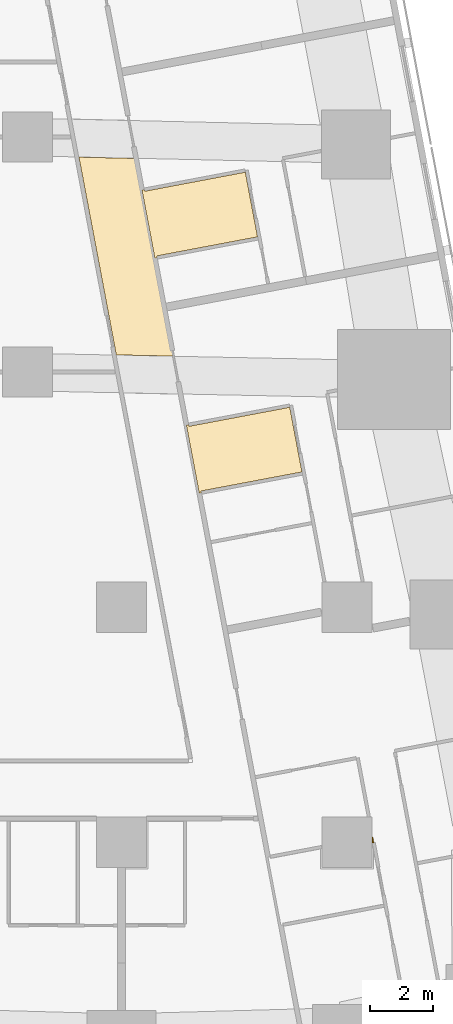
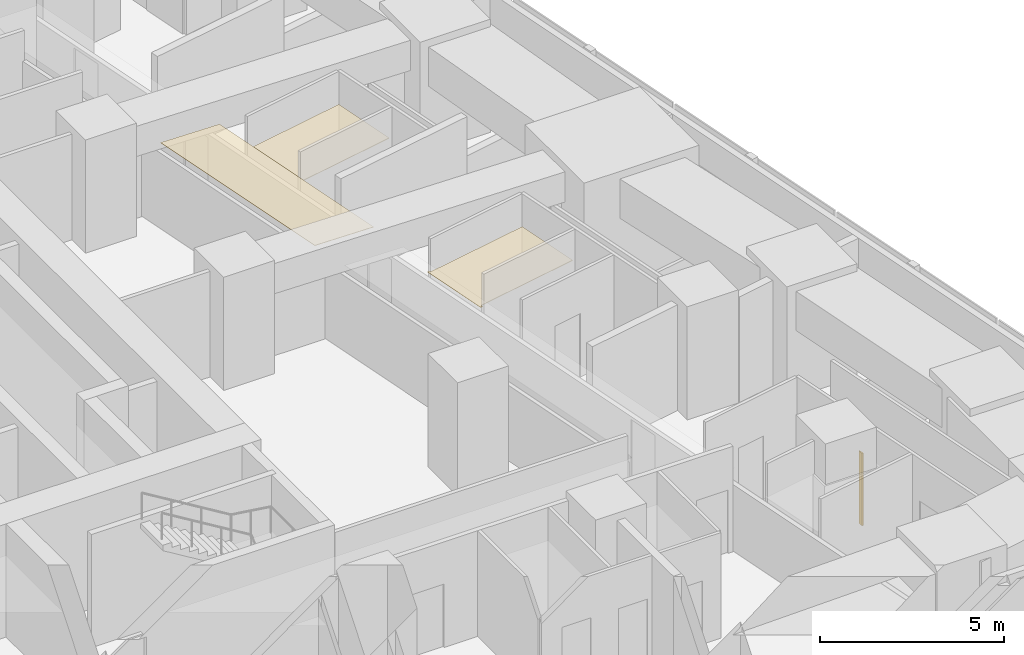
# One storey, part 13 of 14: 4 coverings.
"""IFC4 building model written with IfcOpenShell, lengths in metres."""

import ifcopenshell
import ifcopenshell.guid

model = None  # the IFC model being written
_history = None  # IfcOwnerHistory: only IFC2X3 demands one
_inside = {}  # id of a spatial element -> (the spatial element, [elements in it])
_under = {}  # id of a project, library or spatial element -> (it, [spatial elements below it])
_declared = {}  # id of a project -> (the project, [libraries it declares])
_typed = {}  # id of a type object -> (the type object, [elements of that type])
_made_of = {}  # id of a material, layer set ... -> (it, [elements and type objects made of it])


def new_model(schema):
    """Start an empty IFC model of exactly this schema.

    Asked for "IFC4X3", IfcOpenShell would pick the latest addendum, in which some entities
    have other attributes; the version numbers below select the first issue.
    IFC2X3 requires an IfcOwnerHistory on every rooted entity: one is made here for all.
    """
    global model, _history
    if schema == "IFC4X3":
        model = ifcopenshell.file(schema_version=(4, 3, 0, 0))
    else:
        model = ifcopenshell.file(schema=schema)
    _inside.clear()
    _under.clear()
    _declared.clear()
    _typed.clear()
    _made_of.clear()
    _history = None
    if model.schema == "IFC2X3":
        org = make("IfcOrganization", Name="unknown")
        user = make(
            "IfcPersonAndOrganization",
            ThePerson=make("IfcPerson", FamilyName="unknown"),
            TheOrganization=org,
        )
        app = make(
            "IfcApplication",
            ApplicationDeveloper=org,
            Version="unknown",
            ApplicationFullName="unknown",
            ApplicationIdentifier="unknown",
        )
        _history = make(
            "IfcOwnerHistory",
            OwningUser=user,
            OwningApplication=app,
            ChangeAction="ADDED",
            CreationDate=0,
        )
    return model


def make(cls, **values):
    """One entity of the class cls with the attributes given. An attribute that is None is left unset."""
    return model.create_entity(
        cls, **{name: value for name, value in values.items() if value is not None}
    )


def rooted(cls, **values):
    """An entity with a GlobalId (a new one), such as an element, a storey or a relation."""
    return make(cls, GlobalId=ifcopenshell.guid.new(), OwnerHistory=_history, **values)


def si_unit(unit_type, name, prefix=None):
    """IfcSIUnit, for example si_unit("LENGTHUNIT", "METRE", prefix="MILLI")."""
    return make("IfcSIUnit", UnitType=unit_type, Prefix=prefix, Name=name)


def assignment(units):
    """IfcUnitAssignment: the units of a project."""
    return None if units is None else make("IfcUnitAssignment", Units=units)


def point(xyz):
    """IfcCartesianPoint."""
    return None if xyz is None else make("IfcCartesianPoint", Coordinates=xyz)


def direction(xyz):
    """IfcDirection."""
    return None if xyz is None else make("IfcDirection", DirectionRatios=xyz)


def frame(location, z_axis=None, x_axis=None):
    """IfcAxis2Placement3D, a coordinate frame: its origin and axes. An axis left out is left unset."""
    return make(
        "IfcAxis2Placement3D",
        Location=point(location),
        Axis=direction(z_axis),
        RefDirection=direction(x_axis),
    )


def origin():
    """The frame at (0, 0, 0) with its axes left unset."""
    return frame((0.0, 0.0, 0.0))


def place(relative_to, where):
    """IfcLocalPlacement: puts the frame where relative to a parent placement (None: the world)."""
    return make(
        "IfcLocalPlacement", PlacementRelTo=relative_to, RelativePlacement=where
    )


def context(
    kind, dimensions, precision=None, world=None, true_north=None, identifier=None
):
    """IfcGeometricRepresentationContext, for example the 3D "Model" context."""
    return make(
        "IfcGeometricRepresentationContext",
        ContextIdentifier=identifier,
        ContextType=kind,
        CoordinateSpaceDimension=dimensions,
        Precision=precision,
        WorldCoordinateSystem=world,
        TrueNorth=true_north,
    )


def subcontext(parent, identifier, kind, view, scale=None):
    """IfcGeometricRepresentationSubContext, for example "Body" below "Model"."""
    return make(
        "IfcGeometricRepresentationSubContext",
        ContextIdentifier=identifier,
        ContextType=kind,
        ParentContext=parent,
        TargetScale=scale,
        TargetView=view,
    )


def project(units=None, contexts=None):
    """IfcProject with its units and contexts."""
    return rooted(
        "IfcProject",
        Name="project",
        RepresentationContexts=contexts,
        UnitsInContext=assignment(units),
    )


def spatial(cls, under=None, at=None, **own):
    """A site, building, storey or space (cls), placed at a placement, below another one or the project."""
    s = rooted(cls, ObjectPlacement=at, **own)
    if under is not None:
        _under.setdefault(under.id(), (under, []))[1].append(s)
    return s


def polyline(points):
    """IfcPolyline through the points."""
    return make("IfcPolyline", Points=[point(p) for p in points])


def outline(outer, holes=None, kind="AREA"):
    """IfcArbitraryClosedProfileDef: a profile drawn as a closed curve; with holes, ...WithVoids."""
    if holes is None:
        return make("IfcArbitraryClosedProfileDef", ProfileType=kind, OuterCurve=outer)
    return make(
        "IfcArbitraryProfileDefWithVoids",
        ProfileType=kind,
        OuterCurve=outer,
        InnerCurves=holes,
    )


def extrude(swept, where, along, depth):
    """IfcExtrudedAreaSolid: the profile swept, set in the frame where, extruded along a direction by depth."""
    return make(
        "IfcExtrudedAreaSolid",
        SweptArea=swept,
        Position=where,
        ExtrudedDirection=direction(along),
        Depth=depth,
    )


def shape(context_of_items, identifier, shape_type, items):
    """IfcShapeRepresentation: the items that make up one representation, for example the "Body"."""
    return make(
        "IfcShapeRepresentation",
        ContextOfItems=context_of_items,
        RepresentationIdentifier=identifier,
        RepresentationType=shape_type,
        Items=items,
    )


def material(Name=None, Category=None):
    """IfcMaterial."""
    return make("IfcMaterial", Name=Name, Category=Category)


def layer(
    of_material, thickness, ventilated=None, Name=None, Category=None, Priority=None
):
    """IfcMaterialLayer: one layer of a wall or slab, of a material (None: an air gap)."""
    return make(
        "IfcMaterialLayer",
        Material=of_material,
        LayerThickness=thickness,
        IsVentilated=ventilated,
        Name=Name,
        Category=Category,
        Priority=Priority,
    )


def layer_set(layers, Name=None):
    """IfcMaterialLayerSet."""
    return make("IfcMaterialLayerSet", MaterialLayers=layers, LayerSetName=Name)


def made_of(thing, what):
    """Note that an element or type object is made of a material, layer set ...; save() writes the relation."""
    if what is not None:
        _made_of.setdefault(what.id(), (what, []))[1].append(thing)
    return thing


def type_object(cls, material=None, **own):
    """A type object (cls), such as IfcWallType, which elements share."""
    return made_of(rooted(cls, **own), material)


def element(
    cls,
    number,
    at=None,
    inside=None,
    cuts=None,
    type_object=None,
    material=None,
    context=None,
    identifier="Body",
    shape_type=None,
    held_by="IfcProductDefinitionShape",
    body=None,
    shapes=None,
    **own,
):
    """One element of the class cls, such as IfcWall. Its Tag is "e" and its number.

    at: its placement. inside: the storey or other place that contains it. cuts: it is an
    opening in that element (IfcRelVoidsElement). A single representation is given by context,
    identifier, shape_type and body (its items); several are given by shapes. held_by: the class
    of the entity that holds the representations. save() writes the other relations.
    """
    e = rooted(cls, Tag="e%d" % number, ObjectPlacement=at, **own)
    if body is not None:
        shapes = [shape(context, identifier, shape_type, body)]
    if shapes is not None:
        e.Representation = make(held_by, Representations=shapes)
    if inside is not None:
        _inside.setdefault(inside.id(), (inside, []))[1].append(e)
    if cuts is not None:
        rooted(
            "IfcRelVoidsElement", RelatingBuildingElement=cuts, RelatedOpeningElement=e
        )
    if type_object is not None:
        _typed.setdefault(type_object.id(), (type_object, []))[1].append(e)
    return made_of(e, material)


def aggregate(whole, parts):
    """IfcRelAggregates: a whole, such as a stair, and the parts it consists of."""
    return rooted("IfcRelAggregates", RelatingObject=whole, RelatedObjects=parts)


def save(model, path):
    """Write the relations noted so far, then the file.

    IfcRelAggregates (storeys below a building ...), IfcRelContainedInSpatialStructure (elements
    in a storey), IfcRelDefinesByType, IfcRelAssociatesMaterial and IfcRelDeclares: one each for
    every whole, place, type object, material and project.
    """
    for whole, parts in _under.values():
        aggregate(whole, parts)
    for where, things in _inside.values():
        rooted(
            "IfcRelContainedInSpatialStructure",
            RelatedElements=things,
            RelatingStructure=where,
        )
    for kind, things in _typed.values():
        rooted("IfcRelDefinesByType", RelatedObjects=things, RelatingType=kind)
    for what, things in _made_of.values():
        rooted("IfcRelAssociatesMaterial", RelatedObjects=things, RelatingMaterial=what)
    for by, libraries in _declared.values():
        rooted("IfcRelDeclares", RelatingContext=by, RelatedDefinitions=libraries)
    model.write(path)


model = new_model("IFC4")

# Units and contexts
model_context = context("Model", 3, precision=1e-05, world=origin(), true_north=direction((0.0, 1.0)))
body_context = subcontext(model_context, "Body", "Model", "MODEL_VIEW")
ifc_project = project(units=[si_unit("LENGTHUNIT", "METRE"), si_unit("AREAUNIT", "SQUARE_METRE"), si_unit("VOLUMEUNIT", "CUBIC_METRE"), si_unit("PLANEANGLEUNIT", "RADIAN"), si_unit("MASSUNIT", "GRAM", prefix="KILO")], contexts=[model_context])

# Site, building, storey
site_placement = place(None, origin())
site = spatial("IfcSite", under=ifc_project, at=site_placement, CompositionType="ELEMENT")
building_placement = place(site_placement, origin())
building = spatial("IfcBuilding", under=site, at=building_placement, Name="Sheger Commons Tower", CompositionType="ELEMENT")
storey_placement = place(building_placement, frame((0.0, 0.0, 122.89990234375)))
storey = spatial("IfcBuildingStorey", under=building, at=storey_placement, Name="L31", CompositionType="ELEMENT", Elevation=122.89990234375)

# Coverings
ifc_material_1 = material(Name="Moisture-resistant gypsum plasterboard 15 mm on a suspended galvanised steel grid", Category="steel")
ifc_layer_1 = layer(ifc_material_1, 0.014892578125)
ifc_layer_set_1 = layer_set([ifc_layer_1], Name="MOISTURE-RESISTANT CEILING 15")
covering_type_1 = type_object("IfcCoveringType", Name="MOISTURE-RESISTANT CEILING 15", PredefinedType="CEILING", material=ifc_layer_set_1)
covering_1_placement = place(storey_placement, frame((0.0, 0.0, 2.400146484375)))
element("IfcCovering", 1, at=covering_1_placement, inside=storey, type_object=covering_type_1, Name="L31-10.B1 ceiling", PredefinedType="CEILING", context=body_context, shape_type="SweptSolid", body=[
    extrude(outline(polyline([(37.06689453125, 26.138916015625), (37.135986328125, 26.152099609375), (37.1259765625, 26.2060546875), (40.343017578125, 26.81396484375), (39.952880859375, 28.8779296875), (36.736083984375, 28.26904296875), (36.72607421875, 28.322998046875), (36.656982421875, 28.31005859375), (37.06689453125, 26.138916015625)])), origin(), (0.0, 0.0, 1.0), 0.014892578125),
])
covering_2_placement = place(storey_placement, frame((0.0, 0.0, 2.400146484375)))
element("IfcCovering", 2, at=covering_2_placement, inside=storey, type_object=covering_type_1, Name="L31-11.B1 ceiling", PredefinedType="CEILING", context=body_context, shape_type="SweptSolid", body=[
    extrude(outline(polyline([(38.48291015625, 18.639892578125), (38.552001953125, 18.653076171875), (38.5419921875, 18.7060546875), (41.760009765625, 19.31396484375), (41.3701171875, 21.3779296875), (38.152099609375, 20.77001953125), (38.14208984375, 20.823974609375), (38.072998046875, 20.81103515625), (38.48291015625, 18.639892578125)])), origin(), (0.0, 0.0, 1.0), 0.014892578125),
])
ifc_material_2 = material(Name="Gypsum plasterboard 15 mm on a suspended steel grid", Category="steel")
ifc_layer_2 = layer(ifc_material_2, 0.014892578125)
ifc_layer_set_2 = layer_set([ifc_layer_2], Name="SUSPENDED CEILING 15")
covering_type_2 = type_object("IfcCoveringType", Name="SUSPENDED CEILING 15", PredefinedType="CEILING", material=ifc_layer_set_2)
covering_3_placement = place(storey_placement, frame((0.0, 0.0, 2.7001953125)))
element("IfcCovering", 3, at=covering_3_placement, inside=storey, type_object=covering_type_2, Name="L31-CO ceiling", PredefinedType="CEILING", context=body_context, shape_type="SweptSolid", body=[
    extrude(outline(polyline([(37.657958984375, 23.010986328125), (36.466064453125, 29.31591796875), (34.64501953125, 29.35791015625), (35.8369140625, 23.048095703125), (37.657958984375, 23.010986328125)])), origin(), (0.0, 0.0, 1.0), 0.014892578125),
])
ifc_material_3 = material(Name="Moisture-resistant gypsum board 12.5 mm on 25 mm treated timber battens, tanked and tiled", Category="wood")
ifc_layer_3 = layer(ifc_material_3, 0.050048828125)
ifc_layer_set_3 = layer_set([ifc_layer_3], Name="WET-ROOM COLUMN LINING")
covering_type_3 = type_object("IfcCoveringType", Name="WET-ROOM COLUMN LINING", PredefinedType="CLADDING", material=ifc_layer_set_3)
covering_4_placement = place(storey_placement, origin())
element("IfcCovering", 4, at=covering_4_placement, inside=storey, type_object=covering_type_3, Name="Bathroom column lining C9 L31", PredefinedType="CLADDING", context=body_context, shape_type="SweptSolid", body=[
    extrude(outline(polyline([(44.0, 7.652099609375), (44.01806640625, 7.655029296875), (44.049072265625, 7.489990234375), (44.0, 7.48095703125), (44.0, 7.652099609375)])), origin(), (0.0, 0.0, 1.0), 2.400146484375),
])

save(model, "model.ifc")
